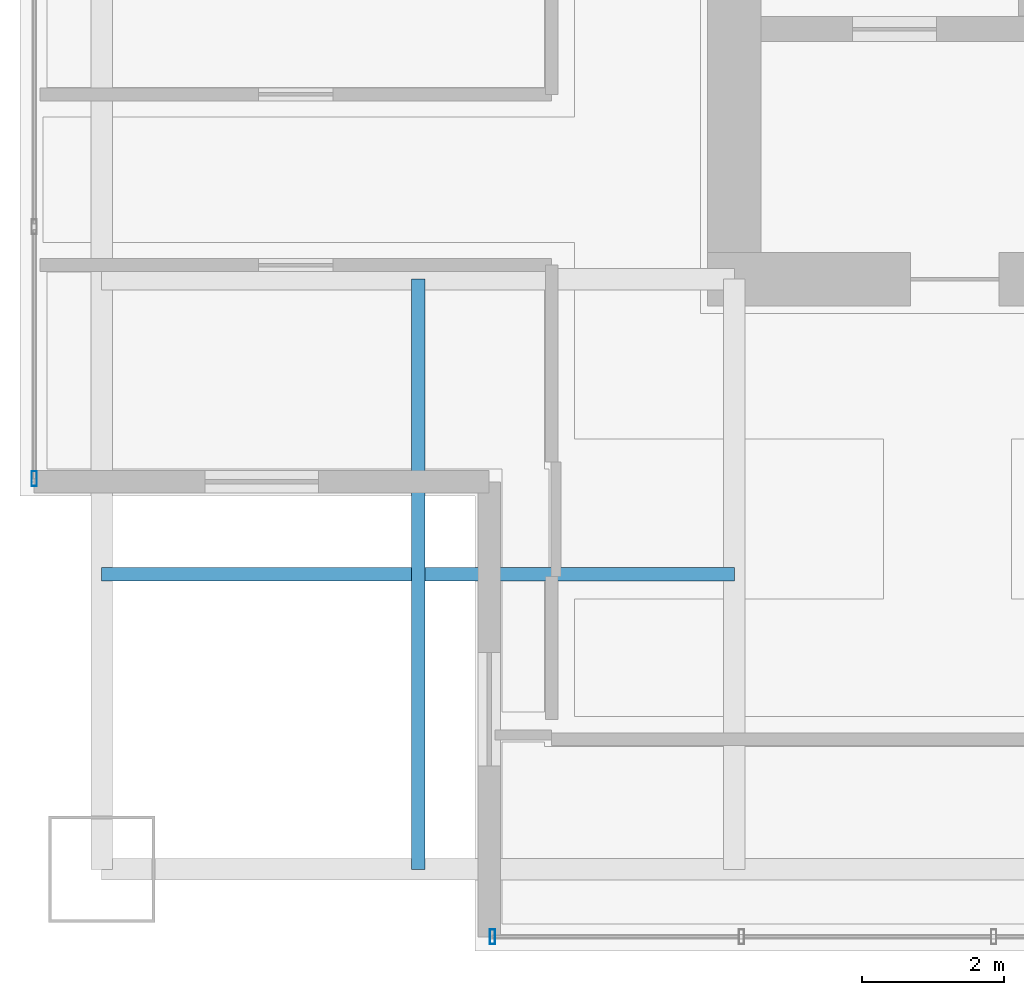
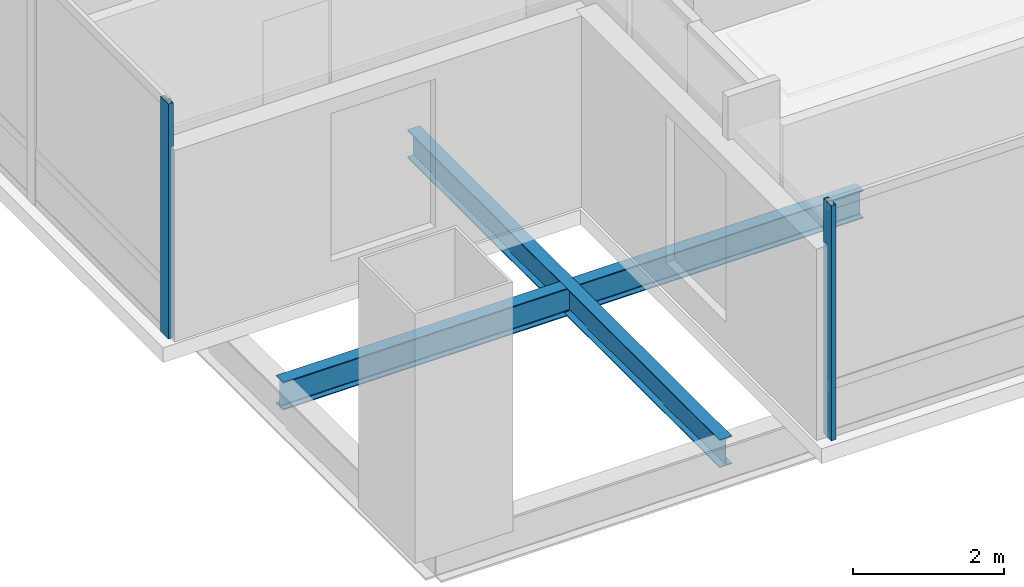
# One storey, part 2 of 35: 2 beams, 2 members, 2 elements without a shape of their own.
"""IFC4 building model written with IfcOpenShell, lengths in metres."""

from ifc_helpers import new_model, si_unit, direction, frame, origin, origin_2d, place, context, subcontext, project, spatial, hollow_rectangle, i_section, extrude, material, material_profile, profile_set, type_object, element, aggregate, save


model = new_model("IFC4")

# Units and contexts
model_context = context("Model", 3, precision=1e-05, world=origin(), true_north=direction((0.0, 1.0)))
body_context = subcontext(model_context, "Body", "Model", "MODEL_VIEW")
ifc_project = project(units=[si_unit("LENGTHUNIT", "METRE"), si_unit("AREAUNIT", "SQUARE_METRE"), si_unit("VOLUMEUNIT", "CUBIC_METRE"), si_unit("PLANEANGLEUNIT", "RADIAN"), si_unit("MASSUNIT", "GRAM", prefix="KILO")], contexts=[model_context])

# Site, building, storey
site_placement = place(None, origin())
site = spatial("IfcSite", under=ifc_project, at=site_placement, CompositionType="ELEMENT")
building_placement = place(site_placement, origin())
building = spatial("IfcBuilding", under=site, at=building_placement, Name="Punatoya Terracotta Tower", CompositionType="ELEMENT")
storey_placement = place(building_placement, frame((0.0, 0.0, 113.25)))
storey = spatial("IfcBuildingStorey", under=building, at=storey_placement, Name="L26", CompositionType="ELEMENT", Elevation=113.25)

# Beams
ifc_material_1 = material(Name="Steel S355", Category="steel")
ifc_material_profile_1 = material_profile(ifc_material_1, i_section(OverallWidth=0.18994140625, OverallDepth=0.449951171875, WebThickness=0.009521484375, FlangeThickness=0.0146484375, FilletRadius=0.01806640625, at=origin_2d()))
ifc_profile_set_1 = profile_set([ifc_material_profile_1], Name="Steel S355")
beam_type = type_object("IfcBeamType", Name="BM-SEC-450", PredefinedType="JOIST", material=ifc_profile_set_1)
beam_1_placement = place(storey_placement, frame((-19.10009765625, -13.35009765625, -0.465087890625), z_axis=(1.0, 0.0, 0.0), x_axis=(0.0, 1.0, 0.0)))
element("IfcBeam", 1, at=beam_1_placement, inside=storey, type_object=beam_type, Name="BM-L26-SJS-1", PredefinedType="JOIST", context=body_context, shape_type="SweptSolid", body=[
    extrude(i_section(OverallWidth=0.18994140625, OverallDepth=0.449951171875, WebThickness=0.009521484375, FlangeThickness=0.0146484375, FilletRadius=0.01806640625, at=origin_2d()), origin(), (0.0, 0.0, 1.0), 8.900146484375),
])
beam_2_placement = place(storey_placement, frame((-14.64990234375, -17.5, -0.465087890625), z_axis=(0.0, 1.0, 0.0), x_axis=(-1.0, 0.0, 0.0)))
element("IfcBeam", 2, at=beam_2_placement, inside=storey, type_object=beam_type, Name="BM-L26-SJW-1", PredefinedType="JOIST", context=body_context, shape_type="SweptSolid", body=[
    extrude(i_section(OverallWidth=0.18994140625, OverallDepth=0.449951171875, WebThickness=0.009521484375, FlangeThickness=0.0146484375, FilletRadius=0.01806640625, at=origin_2d()), origin(), (0.0, 0.0, 1.0), 8.300048828125),
])

# Curtain wall, member
ifc_material_2 = material(Name="Aluminium 6063-T6 + Double Low-E Glass", Category="aluminium")
curtain_wall_type = type_object("IfcCurtainWallType", Name="CW-M1", PredefinedType="NOTDEFINED", material=ifc_material_2)
curtain_wall_1_placement = place(storey_placement, origin())
curtain_wall_1 = element("IfcCurtainWall", 3, at=curtain_wall_1_placement, inside=storey, type_object=curtain_wall_type, Name="L26 Curtain Wall CW-L26-S01-1", PredefinedType="NOTDEFINED")
ifc_material_3 = material(Name="Aluminium 6063-T6", Category="aluminium")
ifc_material_profile_2 = material_profile(ifc_material_3, hollow_rectangle(XDim=0.074951171875, YDim=0.2099609375, WallThickness=0.00439453125, at=origin_2d()))
ifc_profile_set_2 = profile_set([ifc_material_profile_2], Name="Aluminium 6063-T6")
member_type = type_object("IfcMemberType", Name="CW-MUL-M1", PredefinedType="MULLION", material=ifc_profile_set_2)
member_1_placement = place(storey_placement, frame((-13.60498046875, -18.449951171875, 0.0), z_axis=(0.0, 0.0, 1.0), x_axis=(1.0, 0.0, 0.0)))
member_1 = element("IfcMember", 4, at=member_1_placement, type_object=member_type, Name="CW-L26-S01-1 Mullion 00", PredefinedType="MULLION", context=body_context, shape_type="SweptSolid", body=[
    extrude(hollow_rectangle(XDim=0.074951171875, YDim=0.2099609375, WallThickness=0.00439453125, at=origin_2d()), origin(), (0.0, 0.0, 1.0), 3.81005859375),
])
aggregate(curtain_wall_1, [member_1])

curtain_wall_2_placement = place(storey_placement, origin())
curtain_wall_2 = element("IfcCurtainWall", 5, at=curtain_wall_2_placement, inside=storey, type_object=curtain_wall_type, Name="L26 Curtain Wall CW-L26-W12-1", PredefinedType="NOTDEFINED")
member_2_placement = place(storey_placement, frame((-20.050048828125, -12.0048828125, 0.0), z_axis=(0.0, 0.0, 1.0), x_axis=(1.0, 0.0, 0.0)))
member_2 = element("IfcMember", 6, at=member_2_placement, type_object=member_type, Name="CW-L26-W12-1 Mullion 09", PredefinedType="MULLION", context=body_context, shape_type="SweptSolid", body=[
    extrude(hollow_rectangle(XDim=0.074951171875, YDim=0.2099609375, WallThickness=0.00439453125, at=origin_2d()), origin(), (0.0, 0.0, 1.0), 3.81005859375),
])
aggregate(curtain_wall_2, [member_2])

save(model, "model.ifc")
